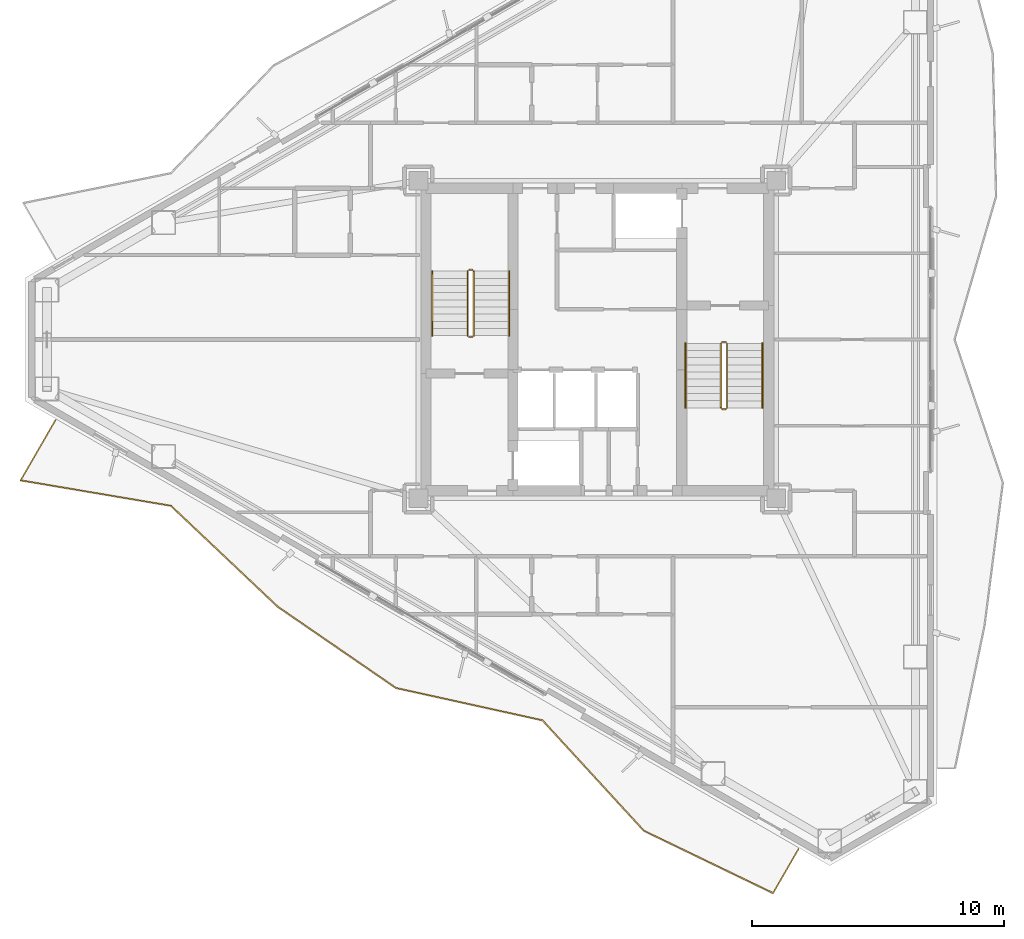
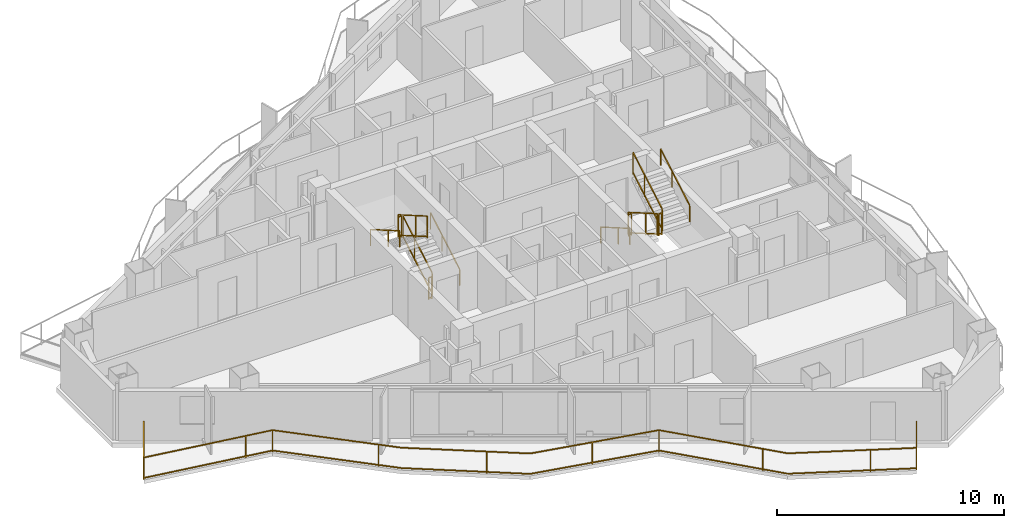
# One storey, part 17 of 18: 13 railings.
"""IFC4 building model written with IfcOpenShell, lengths in metres."""

from ifc_helpers import new_model, si_unit, direction, frame, origin, origin_2d, place, context, subcontext, project, spatial, rectangle, extrude, material, type_object, element, save


model = new_model("IFC4")

# Units and contexts
model_context = context("Model", 3, precision=1e-05, world=origin(), true_north=direction((0.0, 1.0)))
body_context = subcontext(model_context, "Body", "Model", "MODEL_VIEW")
ifc_project = project(units=[si_unit("LENGTHUNIT", "METRE"), si_unit("AREAUNIT", "SQUARE_METRE"), si_unit("VOLUMEUNIT", "CUBIC_METRE"), si_unit("PLANEANGLEUNIT", "RADIAN"), si_unit("MASSUNIT", "GRAM", prefix="KILO")], contexts=[model_context])

# Site, building, storey
site_placement = place(None, origin())
site = spatial("IfcSite", under=ifc_project, at=site_placement, CompositionType="ELEMENT")
building_placement = place(site_placement, origin())
building = spatial("IfcBuilding", under=site, at=building_placement, Name="Mersakhor Tower and Convention Hall", CompositionType="ELEMENT")
storey_placement = place(building_placement, frame((0.0, 0.0, 154.199951171875)))
storey = spatial("IfcBuildingStorey", under=building, at=storey_placement, Name="L43", CompositionType="ELEMENT", Elevation=154.199951171875)

# Railings
ifc_material_1 = material(Name="Powder-coated galvanised steel and laminated glass balustrade", Category="steel")
railing_type_1 = type_object("IfcRailingType", Name="RL-BAL-1200", PredefinedType="BALUSTRADE", material=ifc_material_1)
railing_1_placement = place(storey_placement, frame((7.497802734375, 23.5537109375, 0.0)))
element("IfcRailing", 1, at=railing_1_placement, inside=storey, type_object=railing_type_1, Name="L43 Sinusoidal Balcony Balustrade F3", PredefinedType="BALUSTRADE", context=body_context, shape_type="SweptSolid", body=[
    extrude(rectangle(XDim=0.048095703125, YDim=0.048095703125, at=origin_2d()), frame((0.0, 0.0, 1.17578125), z_axis=(-0.500003336238, -0.866023477598, 0.0), x_axis=(0.866023477598, -0.500003336238, 0.0)), (0.0, 0.0, 1.0), 2.7587890625),
    extrude(rectangle(XDim=0.048095703125, YDim=0.048095703125, at=origin_2d()), frame((0.0, 0.0, 0.080078125), z_axis=(-0.500003336238, -0.866023477598, 0.0), x_axis=(0.866023477598, -0.500003336238, 0.0)), (0.0, 0.0, 1.0), 2.7587890625),
    extrude(rectangle(XDim=0.048095703125, YDim=0.048095703125, at=origin_2d()), frame((-1.37939453125, -2.38916015625, 1.17578125), z_axis=(0.985955558616, -0.16700789333, 0.0), x_axis=(0.16700789333, 0.985955558616, 0.0)), (0.0, 0.0, 1.0), 6.053466796875),
    extrude(rectangle(XDim=0.048095703125, YDim=0.048095703125, at=origin_2d()), frame((-1.37939453125, -2.38916015625, 0.080078125), z_axis=(0.985955558616, -0.16700789333, 0.0), x_axis=(0.16700789333, 0.985955558616, 0.0)), (0.0, 0.0, 1.0), 6.053466796875),
    extrude(rectangle(XDim=0.048095703125, YDim=0.048095703125, at=origin_2d()), frame((4.589111328125, -3.400146484375, 1.17578125), z_axis=(0.726913312876, -0.686729230165, 0.0), x_axis=(0.686729230165, 0.726913312876, 0.0)), (0.0, 0.0, 1.0), 5.83251953125),
    extrude(rectangle(XDim=0.048095703125, YDim=0.048095703125, at=origin_2d()), frame((4.589111328125, -3.400146484375, 0.080078125), z_axis=(0.726913312876, -0.686729230165, 0.0), x_axis=(0.686729230165, 0.726913312876, 0.0)), (0.0, 0.0, 1.0), 5.83251953125),
    extrude(rectangle(XDim=0.048095703125, YDim=0.048095703125, at=origin_2d()), frame((8.828857421875, -7.405517578125, 1.17578125), z_axis=(0.82413452436, -0.566394108159, 0.0), x_axis=(0.566394108159, 0.82413452436, 0.0)), (0.0, 0.0, 1.0), 5.69189453125),
    extrude(rectangle(XDim=0.048095703125, YDim=0.048095703125, at=origin_2d()), frame((8.828857421875, -7.405517578125, 0.080078125), z_axis=(0.82413452436, -0.566394108159, 0.0), x_axis=(0.566394108159, 0.82413452436, 0.0)), (0.0, 0.0, 1.0), 5.69189453125),
    extrude(rectangle(XDim=0.048095703125, YDim=0.048095703125, at=origin_2d()), frame((13.519775390625, -10.62939453125, 1.17578125), z_axis=(0.976509305748, -0.215475232424, 0.0), x_axis=(0.215475232424, 0.976509305748, 0.0)), (0.0, 0.0, 1.0), 5.951904296875),
    extrude(rectangle(XDim=0.048095703125, YDim=0.048095703125, at=origin_2d()), frame((13.519775390625, -10.62939453125, 0.080078125), z_axis=(0.976509305748, -0.215475232424, 0.0), x_axis=(0.215475232424, 0.976509305748, 0.0)), (0.0, 0.0, 1.0), 5.951904296875),
    extrude(rectangle(XDim=0.048095703125, YDim=0.048095703125, at=origin_2d()), frame((19.331787109375, -11.911865234375, 1.17578125), z_axis=(0.676252305475, -0.736670088533, 0.0), x_axis=(0.736670088533, 0.676252305475, 0.0)), (0.0, 0.0, 1.0), 5.9482421875),
    extrude(rectangle(XDim=0.048095703125, YDim=0.048095703125, at=origin_2d()), frame((19.331787109375, -11.911865234375, 0.080078125), z_axis=(0.676252305475, -0.736670088533, 0.0), x_axis=(0.736670088533, 0.676252305475, 0.0)), (0.0, 0.0, 1.0), 5.9482421875),
    extrude(rectangle(XDim=0.048095703125, YDim=0.048095703125, at=origin_2d()), frame((23.354248046875, -16.293701171875, 1.17578125), z_axis=(0.900603762937, -0.434641072823, 0.0), x_axis=(0.434641072823, 0.900603762937, 0.0)), (0.0, 0.0, 1.0), 5.690185546875),
    extrude(rectangle(XDim=0.048095703125, YDim=0.048095703125, at=origin_2d()), frame((23.354248046875, -16.293701171875, 0.080078125), z_axis=(0.900603762937, -0.434641072823, 0.0), x_axis=(0.434641072823, 0.900603762937, 0.0)), (0.0, 0.0, 1.0), 5.690185546875),
    extrude(rectangle(XDim=0.048095703125, YDim=0.048095703125, at=origin_2d()), frame((28.478759765625, -18.766845703125, 1.17578125), z_axis=(0.499960381356, 0.866048276411, 0.0), x_axis=(-0.866048276411, 0.499960381356, 0.0)), (0.0, 0.0, 1.0), 2.013427734375),
    extrude(rectangle(XDim=0.048095703125, YDim=0.048095703125, at=origin_2d()), frame((28.478759765625, -18.766845703125, 0.080078125), z_axis=(0.499960381356, 0.866048276411, 0.0), x_axis=(-0.866048276411, 0.499960381356, 0.0)), (0.0, 0.0, 1.0), 2.013427734375),
    extrude(rectangle(XDim=0.0419921875, YDim=0.0419921875, at=origin_2d()), origin(), (0.0, 0.0, 1.0), 1.15185546875),
    extrude(rectangle(XDim=0.0419921875, YDim=0.0419921875, at=origin_2d()), frame((-1.37939453125, -2.38916015625, 0.0)), (0.0, 0.0, 1.0), 1.15185546875),
    extrude(rectangle(XDim=0.0419921875, YDim=0.0419921875, at=origin_2d()), frame((3.353271484375, -3.19091796875, 0.0)), (0.0, 0.0, 1.0), 1.15185546875),
    extrude(rectangle(XDim=0.0419921875, YDim=0.0419921875, at=origin_2d()), frame((4.589111328125, -3.400146484375, 0.0)), (0.0, 0.0, 1.0), 1.15185546875),
    extrude(rectangle(XDim=0.0419921875, YDim=0.0419921875, at=origin_2d()), frame((8.078369140625, -6.696533203125, 0.0)), (0.0, 0.0, 1.0), 1.15185546875),
    extrude(rectangle(XDim=0.0419921875, YDim=0.0419921875, at=origin_2d()), frame((11.933837890625, -9.539306640625, 0.0)), (0.0, 0.0, 1.0), 1.15185546875),
    extrude(rectangle(XDim=0.0419921875, YDim=0.0419921875, at=origin_2d()), frame((16.327880859375, -11.2490234375, 0.0)), (0.0, 0.0, 1.0), 1.15185546875),
    extrude(rectangle(XDim=0.0419921875, YDim=0.0419921875, at=origin_2d()), frame((19.331787109375, -11.911865234375, 0.0)), (0.0, 0.0, 1.0), 1.15185546875),
    extrude(rectangle(XDim=0.0419921875, YDim=0.0419921875, at=origin_2d()), frame((22.577880859375, -15.447998046875, 0.0)), (0.0, 0.0, 1.0), 1.15185546875),
    extrude(rectangle(XDim=0.0419921875, YDim=0.0419921875, at=origin_2d()), frame((26.64306640625, -17.880859375, 0.0)), (0.0, 0.0, 1.0), 1.15185546875),
    extrude(rectangle(XDim=0.0419921875, YDim=0.0419921875, at=origin_2d()), frame((28.478759765625, -18.766845703125, 0.0)), (0.0, 0.0, 1.0), 1.15185546875),
    extrude(rectangle(XDim=0.0419921875, YDim=0.0419921875, at=origin_2d()), frame((29.4853515625, -17.023193359375, 0.0)), (0.0, 0.0, 1.0), 1.15185546875),
])
ifc_material_2 = material(Name="Brushed stainless steel handrail", Category="steel")
railing_type_2 = type_object("IfcRailingType", Name="RL-HR-900", PredefinedType="HANDRAIL", material=ifc_material_2)
railing_2_placement = place(storey_placement, frame((25.5, 26.89990234375, 0.1650390625)))
element("IfcRailing", 2, at=railing_2_placement, inside=storey, type_object=railing_type_2, Name="L43 ST-1 stair handrail 1", PredefinedType="HANDRAIL", context=body_context, shape_type="SweptSolid", body=[
    extrude(rectangle(XDim=0.048095703125, YDim=0.048095703125, at=origin_2d()), frame((0.0, 0.0, 0.8759765625), z_axis=(0.0, 0.865426285481, 0.501036270542), x_axis=(-1.0, 0.0, 0.0)), (0.0, 0.0, 1.0), 2.964111328125),
    extrude(rectangle(XDim=0.0419921875, YDim=0.0419921875, at=origin_2d()), origin(), (0.0, 0.0, 1.0), 0.851806640625),
    extrude(rectangle(XDim=0.0419921875, YDim=0.0419921875, at=origin_2d()), frame((0.0, 1.557861328125, 0.90185546875)), (0.0, 0.0, 1.0), 0.851806640625),
    extrude(rectangle(XDim=0.0419921875, YDim=0.0419921875, at=origin_2d()), frame((0.0, 2.565185546875, 1.485107421875)), (0.0, 0.0, 1.0), 0.851806640625),
])
for number, where, name in (
    (3, (22.449951171875, 29.465087890625, 1.81494140625), "L43 ST-1 stair handrail 2"),
    (4, (32.5, 26.60009765625, 0.1650390625), "L43 ST-2 stair handrail 1"),
):
    element("IfcRailing", number, at=place(storey_placement, frame(where)), inside=storey, type_object=railing_type_2, Name=name, PredefinedType="HANDRAIL", context=body_context, shape_type="SweptSolid", body=[
        extrude(rectangle(XDim=0.048095703125, YDim=0.048095703125, at=origin_2d()), frame((0.0, 0.0, 0.8759765625), z_axis=(0.0, -0.865426285481, 0.501036270542), x_axis=(1.0, 0.0, 0.0)), (0.0, 0.0, 1.0), 2.964111328125),
        extrude(rectangle(XDim=0.0419921875, YDim=0.0419921875, at=origin_2d()), origin(), (0.0, 0.0, 1.0), 0.851806640625),
        extrude(rectangle(XDim=0.0419921875, YDim=0.0419921875, at=origin_2d()), frame((0.0, -1.557861328125, 0.90185546875)), (0.0, 0.0, 1.0), 0.851806640625),
        extrude(rectangle(XDim=0.0419921875, YDim=0.0419921875, at=origin_2d()), frame((0.0, -2.565185546875, 1.485107421875)), (0.0, 0.0, 1.0), 0.851806640625),
    ])
railing_3_placement = place(storey_placement, frame((35.550048828125, 24.034912109375, 1.81494140625)))
element("IfcRailing", 5, at=railing_3_placement, inside=storey, type_object=railing_type_2, Name="L43 ST-2 stair handrail 2", PredefinedType="HANDRAIL", context=body_context, shape_type="SweptSolid", body=[
    extrude(rectangle(XDim=0.048095703125, YDim=0.048095703125, at=origin_2d()), frame((0.0, 0.0, 0.8759765625), z_axis=(0.0, 0.865426285481, 0.501036270542), x_axis=(-1.0, 0.0, 0.0)), (0.0, 0.0, 1.0), 2.964111328125),
    extrude(rectangle(XDim=0.0419921875, YDim=0.0419921875, at=origin_2d()), origin(), (0.0, 0.0, 1.0), 0.851806640625),
    extrude(rectangle(XDim=0.0419921875, YDim=0.0419921875, at=origin_2d()), frame((0.0, 1.557861328125, 0.90185546875)), (0.0, 0.0, 1.0), 0.851806640625),
    extrude(rectangle(XDim=0.0419921875, YDim=0.0419921875, at=origin_2d()), frame((0.0, 2.565185546875, 1.485107421875)), (0.0, 0.0, 1.0), 0.851806640625),
])
ifc_material_3 = material(Name="Painted steel stair balustrade S355", Category="steel")
railing_type_3 = type_object("IfcRailingType", Name="RL-STG-1200", PredefinedType="BALUSTRADE", material=ifc_material_3)
railing_4_placement = place(storey_placement, frame((24.10009765625, 26.89990234375, 0.1650390625)))
element("IfcRailing", 6, at=railing_4_placement, inside=storey, type_object=railing_type_3, Name="L43 ST-1 stair guard 1", PredefinedType="BALUSTRADE", context=body_context, shape_type="SweptSolid", body=[
    extrude(rectangle(XDim=0.048095703125, YDim=0.048095703125, at=origin_2d()), frame((0.0, 0.0, 1.17578125), z_axis=(0.0, 0.865426285481, 0.501036270542), x_axis=(-1.0, 0.0, 0.0)), (0.0, 0.0, 1.0), 2.964111328125),
    extrude(rectangle(XDim=0.048095703125, YDim=0.048095703125, at=origin_2d()), frame((0.0, 0.0, 0.080078125), z_axis=(0.0, 0.865426285481, 0.501036270542), x_axis=(-1.0, 0.0, 0.0)), (0.0, 0.0, 1.0), 2.964111328125),
    extrude(rectangle(XDim=0.0419921875, YDim=0.0419921875, at=origin_2d()), origin(), (0.0, 0.0, 1.0), 1.15185546875),
    extrude(rectangle(XDim=0.0419921875, YDim=0.0419921875, at=origin_2d()), frame((0.0, 1.557861328125, 0.90185546875)), (0.0, 0.0, 1.0), 1.15185546875),
    extrude(rectangle(XDim=0.0419921875, YDim=0.0419921875, at=origin_2d()), frame((0.0, 2.565185546875, 1.485107421875)), (0.0, 0.0, 1.0), 1.15185546875),
])
railing_5_placement = place(storey_placement, frame((24.050048828125, 29.514892578125, 1.650146484375)))
element("IfcRailing", 7, at=railing_5_placement, inside=storey, type_object=railing_type_3, Name="L43 ST-1 stair guard 2", PredefinedType="BALUSTRADE", context=body_context, shape_type="SweptSolid", body=[
    extrude(rectangle(XDim=0.048095703125, YDim=0.048095703125, at=origin_2d()), frame((0.0, 0.0, 1.17578125), z_axis=(-1.0, 0.0, 0.0), x_axis=(0.0, -1.0, 0.0)), (0.0, 0.0, 1.0), 0.150146484375),
    extrude(rectangle(XDim=0.048095703125, YDim=0.048095703125, at=origin_2d()), frame((0.0, 0.0, 0.080078125), z_axis=(-1.0, 0.0, 0.0), x_axis=(0.0, -1.0, 0.0)), (0.0, 0.0, 1.0), 0.150146484375),
    extrude(rectangle(XDim=0.0419921875, YDim=0.0419921875, at=origin_2d()), origin(), (0.0, 0.0, 1.0), 1.15185546875),
    extrude(rectangle(XDim=0.0419921875, YDim=0.0419921875, at=origin_2d()), frame((-0.150146484375, 0.0, 0.0)), (0.0, 0.0, 1.0), 1.15185546875),
])
railing_6_placement = place(storey_placement, frame((23.85009765625, 29.465087890625, 1.81494140625)))
element("IfcRailing", 8, at=railing_6_placement, inside=storey, type_object=railing_type_3, Name="L43 ST-1 stair guard 3", PredefinedType="BALUSTRADE", context=body_context, shape_type="SweptSolid", body=[
    extrude(rectangle(XDim=0.048095703125, YDim=0.048095703125, at=origin_2d()), frame((0.0, 0.0, 1.17578125), z_axis=(0.0, -0.865426285481, 0.501036270542), x_axis=(1.0, 0.0, 0.0)), (0.0, 0.0, 1.0), 2.964111328125),
    extrude(rectangle(XDim=0.048095703125, YDim=0.048095703125, at=origin_2d()), frame((0.0, 0.0, 0.080078125), z_axis=(0.0, -0.865426285481, 0.501036270542), x_axis=(1.0, 0.0, 0.0)), (0.0, 0.0, 1.0), 2.964111328125),
    extrude(rectangle(XDim=0.0419921875, YDim=0.0419921875, at=origin_2d()), origin(), (0.0, 0.0, 1.0), 1.15185546875),
    extrude(rectangle(XDim=0.0419921875, YDim=0.0419921875, at=origin_2d()), frame((0.0, -1.557861328125, 0.90185546875)), (0.0, 0.0, 1.0), 1.15185546875),
    extrude(rectangle(XDim=0.0419921875, YDim=0.0419921875, at=origin_2d()), frame((0.0, -2.565185546875, 1.485107421875)), (0.0, 0.0, 1.0), 1.15185546875),
])
railing_7_placement = place(storey_placement, frame((24.050048828125, 26.85009765625, 0.0)))
element("IfcRailing", 9, at=railing_7_placement, inside=storey, type_object=railing_type_3, Name="L43 ST-1 stair guard 4", PredefinedType="BALUSTRADE", context=body_context, shape_type="SweptSolid", body=[
    extrude(rectangle(XDim=0.048095703125, YDim=0.048095703125, at=origin_2d()), frame((0.0, 0.0, 1.17578125), z_axis=(-1.0, 0.0, 0.0), x_axis=(0.0, -1.0, 0.0)), (0.0, 0.0, 1.0), 0.150146484375),
    extrude(rectangle(XDim=0.048095703125, YDim=0.048095703125, at=origin_2d()), frame((0.0, 0.0, 0.080078125), z_axis=(-1.0, 0.0, 0.0), x_axis=(0.0, -1.0, 0.0)), (0.0, 0.0, 1.0), 0.150146484375),
    extrude(rectangle(XDim=0.0419921875, YDim=0.0419921875, at=origin_2d()), origin(), (0.0, 0.0, 1.0), 1.15185546875),
    extrude(rectangle(XDim=0.0419921875, YDim=0.0419921875, at=origin_2d()), frame((-0.150146484375, 0.0, 0.0)), (0.0, 0.0, 1.0), 1.15185546875),
])
railing_8_placement = place(storey_placement, frame((33.89990234375, 26.60009765625, 0.1650390625)))
element("IfcRailing", 10, at=railing_8_placement, inside=storey, type_object=railing_type_3, Name="L43 ST-2 stair guard 1", PredefinedType="BALUSTRADE", context=body_context, shape_type="SweptSolid", body=[
    extrude(rectangle(XDim=0.048095703125, YDim=0.048095703125, at=origin_2d()), frame((0.0, 0.0, 1.17578125), z_axis=(0.0, -0.865426285481, 0.501036270542), x_axis=(1.0, 0.0, 0.0)), (0.0, 0.0, 1.0), 2.964111328125),
    extrude(rectangle(XDim=0.048095703125, YDim=0.048095703125, at=origin_2d()), frame((0.0, 0.0, 0.080078125), z_axis=(0.0, -0.865426285481, 0.501036270542), x_axis=(1.0, 0.0, 0.0)), (0.0, 0.0, 1.0), 2.964111328125),
    extrude(rectangle(XDim=0.0419921875, YDim=0.0419921875, at=origin_2d()), origin(), (0.0, 0.0, 1.0), 1.15185546875),
    extrude(rectangle(XDim=0.0419921875, YDim=0.0419921875, at=origin_2d()), frame((0.0, -1.557861328125, 0.90185546875)), (0.0, 0.0, 1.0), 1.15185546875),
    extrude(rectangle(XDim=0.0419921875, YDim=0.0419921875, at=origin_2d()), frame((0.0, -2.565185546875, 1.485107421875)), (0.0, 0.0, 1.0), 1.15185546875),
])
railing_9_placement = place(storey_placement, frame((33.949951171875, 23.985107421875, 1.650146484375)))
element("IfcRailing", 11, at=railing_9_placement, inside=storey, type_object=railing_type_3, Name="L43 ST-2 stair guard 2", PredefinedType="BALUSTRADE", context=body_context, shape_type="SweptSolid", body=[
    extrude(rectangle(XDim=0.048095703125, YDim=0.048095703125, at=origin_2d()), frame((0.0, 0.0, 1.17578125), z_axis=(1.0, 0.0, 0.0), x_axis=(0.0, 1.0, 0.0)), (0.0, 0.0, 1.0), 0.150146484375),
    extrude(rectangle(XDim=0.048095703125, YDim=0.048095703125, at=origin_2d()), frame((0.0, 0.0, 0.080078125), z_axis=(1.0, 0.0, 0.0), x_axis=(0.0, 1.0, 0.0)), (0.0, 0.0, 1.0), 0.150146484375),
    extrude(rectangle(XDim=0.0419921875, YDim=0.0419921875, at=origin_2d()), origin(), (0.0, 0.0, 1.0), 1.15185546875),
    extrude(rectangle(XDim=0.0419921875, YDim=0.0419921875, at=origin_2d()), frame((0.150146484375, 0.0, 0.0)), (0.0, 0.0, 1.0), 1.15185546875),
])
railing_10_placement = place(storey_placement, frame((34.14990234375, 24.034912109375, 1.81494140625)))
element("IfcRailing", 12, at=railing_10_placement, inside=storey, type_object=railing_type_3, Name="L43 ST-2 stair guard 3", PredefinedType="BALUSTRADE", context=body_context, shape_type="SweptSolid", body=[
    extrude(rectangle(XDim=0.048095703125, YDim=0.048095703125, at=origin_2d()), frame((0.0, 0.0, 1.17578125), z_axis=(0.0, 0.865426285481, 0.501036270542), x_axis=(-1.0, 0.0, 0.0)), (0.0, 0.0, 1.0), 2.964111328125),
    extrude(rectangle(XDim=0.048095703125, YDim=0.048095703125, at=origin_2d()), frame((0.0, 0.0, 0.080078125), z_axis=(0.0, 0.865426285481, 0.501036270542), x_axis=(-1.0, 0.0, 0.0)), (0.0, 0.0, 1.0), 2.964111328125),
    extrude(rectangle(XDim=0.0419921875, YDim=0.0419921875, at=origin_2d()), origin(), (0.0, 0.0, 1.0), 1.15185546875),
    extrude(rectangle(XDim=0.0419921875, YDim=0.0419921875, at=origin_2d()), frame((0.0, 1.557861328125, 0.90185546875)), (0.0, 0.0, 1.0), 1.15185546875),
    extrude(rectangle(XDim=0.0419921875, YDim=0.0419921875, at=origin_2d()), frame((0.0, 2.565185546875, 1.485107421875)), (0.0, 0.0, 1.0), 1.15185546875),
])
railing_11_placement = place(storey_placement, frame((33.949951171875, 26.64990234375, 0.0)))
element("IfcRailing", 13, at=railing_11_placement, inside=storey, type_object=railing_type_3, Name="L43 ST-2 stair guard 4", PredefinedType="BALUSTRADE", context=body_context, shape_type="SweptSolid", body=[
    extrude(rectangle(XDim=0.048095703125, YDim=0.048095703125, at=origin_2d()), frame((0.0, 0.0, 1.17578125), z_axis=(1.0, 0.0, 0.0), x_axis=(0.0, 1.0, 0.0)), (0.0, 0.0, 1.0), 0.150146484375),
    extrude(rectangle(XDim=0.048095703125, YDim=0.048095703125, at=origin_2d()), frame((0.0, 0.0, 0.080078125), z_axis=(1.0, 0.0, 0.0), x_axis=(0.0, 1.0, 0.0)), (0.0, 0.0, 1.0), 0.150146484375),
    extrude(rectangle(XDim=0.0419921875, YDim=0.0419921875, at=origin_2d()), origin(), (0.0, 0.0, 1.0), 1.15185546875),
    extrude(rectangle(XDim=0.0419921875, YDim=0.0419921875, at=origin_2d()), frame((0.150146484375, 0.0, 0.0)), (0.0, 0.0, 1.0), 1.15185546875),
])

save(model, "model.ifc")
